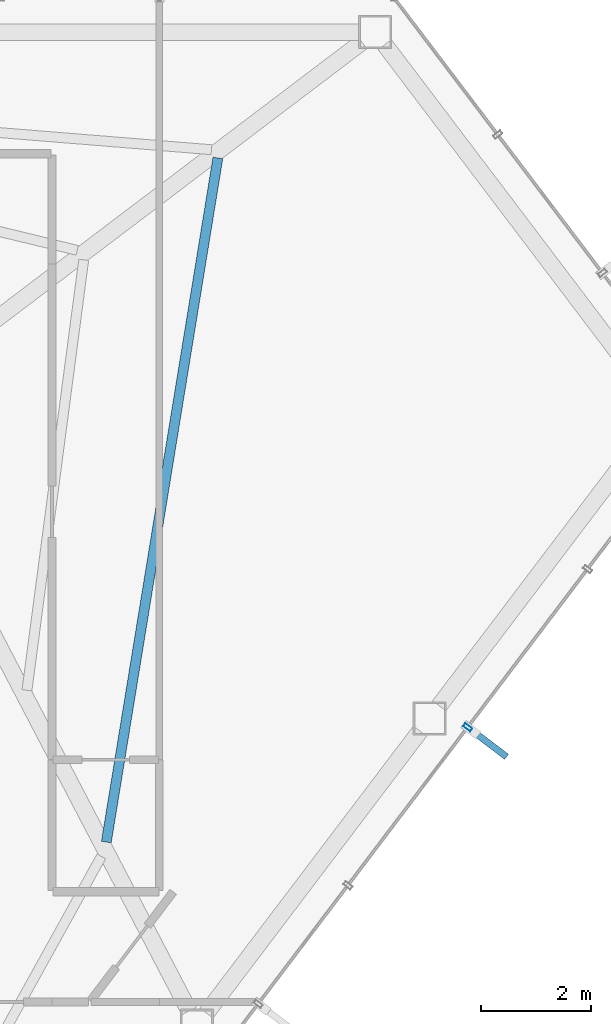
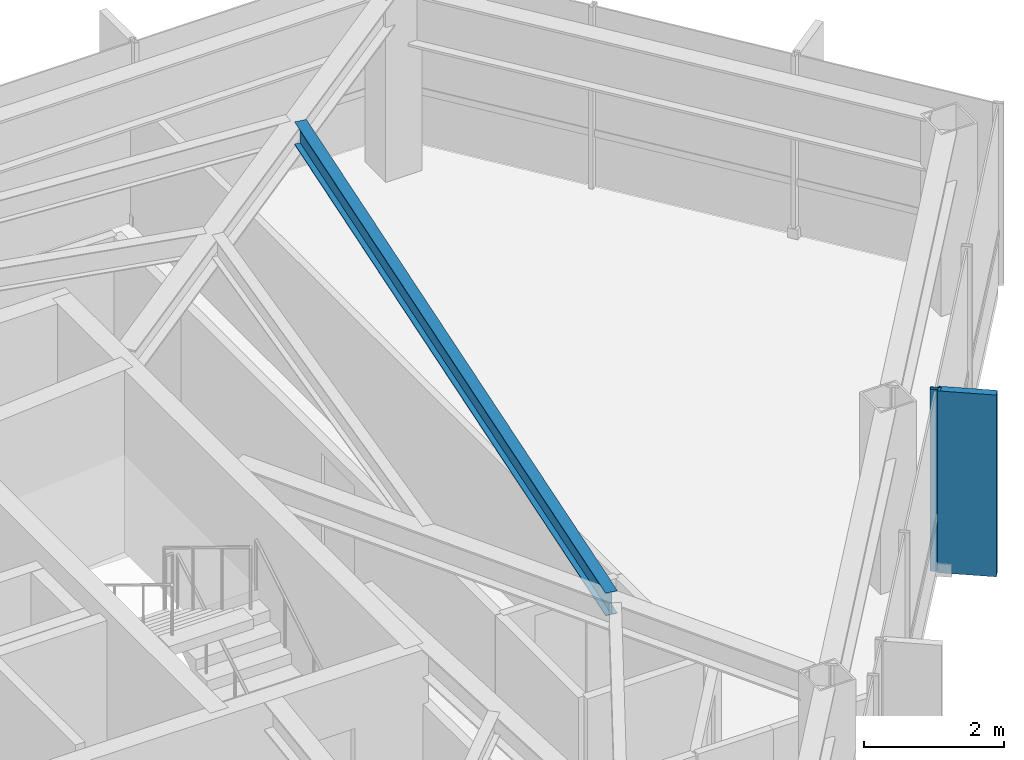
# One storey, part 17 of 25: 2 members, 1 beam, 1 element without a shape of its own.
"""IFC4 building model written with IfcOpenShell, lengths in metres."""

import ifcopenshell
import ifcopenshell.guid

model = None  # the IFC model being written
_history = None  # IfcOwnerHistory: only IFC2X3 demands one
_inside = {}  # id of a spatial element -> (the spatial element, [elements in it])
_under = {}  # id of a project, library or spatial element -> (it, [spatial elements below it])
_declared = {}  # id of a project -> (the project, [libraries it declares])
_typed = {}  # id of a type object -> (the type object, [elements of that type])
_made_of = {}  # id of a material, layer set ... -> (it, [elements and type objects made of it])


def new_model(schema):
    """Start an empty IFC model of exactly this schema.

    Asked for "IFC4X3", IfcOpenShell would pick the latest addendum, in which some entities
    have other attributes; the version numbers below select the first issue.
    IFC2X3 requires an IfcOwnerHistory on every rooted entity: one is made here for all.
    """
    global model, _history
    if schema == "IFC4X3":
        model = ifcopenshell.file(schema_version=(4, 3, 0, 0))
    else:
        model = ifcopenshell.file(schema=schema)
    _inside.clear()
    _under.clear()
    _declared.clear()
    _typed.clear()
    _made_of.clear()
    _history = None
    if model.schema == "IFC2X3":
        org = make("IfcOrganization", Name="unknown")
        user = make(
            "IfcPersonAndOrganization",
            ThePerson=make("IfcPerson", FamilyName="unknown"),
            TheOrganization=org,
        )
        app = make(
            "IfcApplication",
            ApplicationDeveloper=org,
            Version="unknown",
            ApplicationFullName="unknown",
            ApplicationIdentifier="unknown",
        )
        _history = make(
            "IfcOwnerHistory",
            OwningUser=user,
            OwningApplication=app,
            ChangeAction="ADDED",
            CreationDate=0,
        )
    return model


def make(cls, **values):
    """One entity of the class cls with the attributes given. An attribute that is None is left unset."""
    return model.create_entity(
        cls, **{name: value for name, value in values.items() if value is not None}
    )


def rooted(cls, **values):
    """An entity with a GlobalId (a new one), such as an element, a storey or a relation."""
    return make(cls, GlobalId=ifcopenshell.guid.new(), OwnerHistory=_history, **values)


def si_unit(unit_type, name, prefix=None):
    """IfcSIUnit, for example si_unit("LENGTHUNIT", "METRE", prefix="MILLI")."""
    return make("IfcSIUnit", UnitType=unit_type, Prefix=prefix, Name=name)


def assignment(units):
    """IfcUnitAssignment: the units of a project."""
    return None if units is None else make("IfcUnitAssignment", Units=units)


def point(xyz):
    """IfcCartesianPoint."""
    return None if xyz is None else make("IfcCartesianPoint", Coordinates=xyz)


def direction(xyz):
    """IfcDirection."""
    return None if xyz is None else make("IfcDirection", DirectionRatios=xyz)


def frame(location, z_axis=None, x_axis=None):
    """IfcAxis2Placement3D, a coordinate frame: its origin and axes. An axis left out is left unset."""
    return make(
        "IfcAxis2Placement3D",
        Location=point(location),
        Axis=direction(z_axis),
        RefDirection=direction(x_axis),
    )


def frame_2d(location, x_axis=None):
    """IfcAxis2Placement2D, a coordinate frame in the plane: its origin and x axis."""
    return make(
        "IfcAxis2Placement2D", Location=point(location), RefDirection=direction(x_axis)
    )


def origin():
    """The frame at (0, 0, 0) with its axes left unset."""
    return frame((0.0, 0.0, 0.0))


def origin_2d():
    """The frame at (0, 0) in the plane with its x axis left unset."""
    return frame_2d((0.0, 0.0))


def place(relative_to, where):
    """IfcLocalPlacement: puts the frame where relative to a parent placement (None: the world)."""
    return make(
        "IfcLocalPlacement", PlacementRelTo=relative_to, RelativePlacement=where
    )


def context(
    kind, dimensions, precision=None, world=None, true_north=None, identifier=None
):
    """IfcGeometricRepresentationContext, for example the 3D "Model" context."""
    return make(
        "IfcGeometricRepresentationContext",
        ContextIdentifier=identifier,
        ContextType=kind,
        CoordinateSpaceDimension=dimensions,
        Precision=precision,
        WorldCoordinateSystem=world,
        TrueNorth=true_north,
    )


def subcontext(parent, identifier, kind, view, scale=None):
    """IfcGeometricRepresentationSubContext, for example "Body" below "Model"."""
    return make(
        "IfcGeometricRepresentationSubContext",
        ContextIdentifier=identifier,
        ContextType=kind,
        ParentContext=parent,
        TargetScale=scale,
        TargetView=view,
    )


def project(units=None, contexts=None):
    """IfcProject with its units and contexts."""
    return rooted(
        "IfcProject",
        Name="project",
        RepresentationContexts=contexts,
        UnitsInContext=assignment(units),
    )


def spatial(cls, under=None, at=None, **own):
    """A site, building, storey or space (cls), placed at a placement, below another one or the project."""
    s = rooted(cls, ObjectPlacement=at, **own)
    if under is not None:
        _under.setdefault(under.id(), (under, []))[1].append(s)
    return s


def profile(cls, at=None, kind="AREA", **sizes):
    """A parametric profile (cls). Its sizes go by their IFC names, for example OverallWidth=200.0."""
    return make(cls, ProfileType=kind, Position=at, **sizes)


def rectangle(**sizes):
    """IfcRectangleProfileDef."""
    return profile("IfcRectangleProfileDef", **sizes)


def hollow_rectangle(**sizes):
    """IfcRectangleHollowProfileDef."""
    return profile("IfcRectangleHollowProfileDef", **sizes)


def i_section(**sizes):
    """IfcIShapeProfileDef."""
    return profile("IfcIShapeProfileDef", **sizes)


def extrude(swept, where, along, depth):
    """IfcExtrudedAreaSolid: the profile swept, set in the frame where, extruded along a direction by depth."""
    return make(
        "IfcExtrudedAreaSolid",
        SweptArea=swept,
        Position=where,
        ExtrudedDirection=direction(along),
        Depth=depth,
    )


def shape(context_of_items, identifier, shape_type, items):
    """IfcShapeRepresentation: the items that make up one representation, for example the "Body"."""
    return make(
        "IfcShapeRepresentation",
        ContextOfItems=context_of_items,
        RepresentationIdentifier=identifier,
        RepresentationType=shape_type,
        Items=items,
    )


def material(Name=None, Category=None):
    """IfcMaterial."""
    return make("IfcMaterial", Name=Name, Category=Category)


def layer(
    of_material, thickness, ventilated=None, Name=None, Category=None, Priority=None
):
    """IfcMaterialLayer: one layer of a wall or slab, of a material (None: an air gap)."""
    return make(
        "IfcMaterialLayer",
        Material=of_material,
        LayerThickness=thickness,
        IsVentilated=ventilated,
        Name=Name,
        Category=Category,
        Priority=Priority,
    )


def layer_set(layers, Name=None):
    """IfcMaterialLayerSet."""
    return make("IfcMaterialLayerSet", MaterialLayers=layers, LayerSetName=Name)


def material_profile(
    of_material, cross_section, Name=None, Category=None, Priority=None
):
    """IfcMaterialProfile: a cross section and its material."""
    return make(
        "IfcMaterialProfile",
        Name=Name,
        Material=of_material,
        Profile=cross_section,
        Priority=Priority,
        Category=Category,
    )


def profile_set(profiles, Name=None, composite=None):
    """IfcMaterialProfileSet."""
    return make(
        "IfcMaterialProfileSet",
        Name=Name,
        MaterialProfiles=profiles,
        CompositeProfile=composite,
    )


def made_of(thing, what):
    """Note that an element or type object is made of a material, layer set ...; save() writes the relation."""
    if what is not None:
        _made_of.setdefault(what.id(), (what, []))[1].append(thing)
    return thing


def type_object(cls, material=None, **own):
    """A type object (cls), such as IfcWallType, which elements share."""
    return made_of(rooted(cls, **own), material)


def element(
    cls,
    number,
    at=None,
    inside=None,
    cuts=None,
    type_object=None,
    material=None,
    context=None,
    identifier="Body",
    shape_type=None,
    held_by="IfcProductDefinitionShape",
    body=None,
    shapes=None,
    **own,
):
    """One element of the class cls, such as IfcWall. Its Tag is "e" and its number.

    at: its placement. inside: the storey or other place that contains it. cuts: it is an
    opening in that element (IfcRelVoidsElement). A single representation is given by context,
    identifier, shape_type and body (its items); several are given by shapes. held_by: the class
    of the entity that holds the representations. save() writes the other relations.
    """
    e = rooted(cls, Tag="e%d" % number, ObjectPlacement=at, **own)
    if body is not None:
        shapes = [shape(context, identifier, shape_type, body)]
    if shapes is not None:
        e.Representation = make(held_by, Representations=shapes)
    if inside is not None:
        _inside.setdefault(inside.id(), (inside, []))[1].append(e)
    if cuts is not None:
        rooted(
            "IfcRelVoidsElement", RelatingBuildingElement=cuts, RelatedOpeningElement=e
        )
    if type_object is not None:
        _typed.setdefault(type_object.id(), (type_object, []))[1].append(e)
    return made_of(e, material)


def aggregate(whole, parts):
    """IfcRelAggregates: a whole, such as a stair, and the parts it consists of."""
    return rooted("IfcRelAggregates", RelatingObject=whole, RelatedObjects=parts)


def save(model, path):
    """Write the relations noted so far, then the file.

    IfcRelAggregates (storeys below a building ...), IfcRelContainedInSpatialStructure (elements
    in a storey), IfcRelDefinesByType, IfcRelAssociatesMaterial and IfcRelDeclares: one each for
    every whole, place, type object, material and project.
    """
    for whole, parts in _under.values():
        aggregate(whole, parts)
    for where, things in _inside.values():
        rooted(
            "IfcRelContainedInSpatialStructure",
            RelatedElements=things,
            RelatingStructure=where,
        )
    for kind, things in _typed.values():
        rooted("IfcRelDefinesByType", RelatedObjects=things, RelatingType=kind)
    for what, things in _made_of.values():
        rooted("IfcRelAssociatesMaterial", RelatedObjects=things, RelatingMaterial=what)
    for by, libraries in _declared.values():
        rooted("IfcRelDeclares", RelatingContext=by, RelatedDefinitions=libraries)
    model.write(path)


model = new_model("IFC4")

# Units and contexts
model_context = context("Model", 3, precision=1e-05, world=origin(), true_north=direction((0.0, 1.0)))
body_context = subcontext(model_context, "Body", "Model", "MODEL_VIEW")
ifc_project = project(units=[si_unit("LENGTHUNIT", "METRE"), si_unit("AREAUNIT", "SQUARE_METRE"), si_unit("VOLUMEUNIT", "CUBIC_METRE"), si_unit("PLANEANGLEUNIT", "RADIAN"), si_unit("MASSUNIT", "GRAM", prefix="KILO")], contexts=[model_context])

# Site, building, storey
site_placement = place(None, origin())
site = spatial("IfcSite", under=ifc_project, at=site_placement, CompositionType="ELEMENT")
building_placement = place(site_placement, origin())
building = spatial("IfcBuilding", under=site, at=building_placement, Name="Zarrinselat Tower", CompositionType="ELEMENT")
storey_placement = place(building_placement, frame((0.0, 0.0, 208.760009765625)))
storey = spatial("IfcBuildingStorey", under=building, at=storey_placement, Name="L51", CompositionType="ELEMENT", Elevation=208.760009765625)

# Beam
ifc_material_1 = material(Name="Steel S355J2", Category="steel")
ifc_material_profile_1 = material_profile(ifc_material_1, i_section(OverallWidth=0.179931640625, OverallDepth=0.39990234375, WebThickness=0.008544921875, FlangeThickness=0.013427734375, at=origin_2d()), Name="IPE 400")
ifc_profile_set_1 = profile_set([ifc_material_profile_1], Name="Steel S355J2")
beam_type = type_object("IfcBeamType", Name="BM-IPE400", PredefinedType="JOIST", material=ifc_profile_set_1)
beam_placement = place(storey_placement, frame((51.335693359375, 33.053466796875, 2.97998046875), z_axis=(0.160956842777, 0.986961445429, 0.0), x_axis=(-0.986961445429, 0.160956842777, 0.0)))
element("IfcBeam", 1, at=beam_placement, inside=storey, type_object=beam_type, Name="L51 Composite Floor Joist 5-1", PredefinedType="JOIST", context=body_context, shape_type="SweptSolid", body=[
    extrude(i_section(OverallWidth=0.179931640625, OverallDepth=0.39990234375, WebThickness=0.008544921875, FlangeThickness=0.013427734375, at=origin_2d()), origin(), (0.0, 0.0, 1.0), 12.58642578125),
])

# Curtain wall, members
ifc_material_2 = material(Name="Extruded Aluminium Alloy EN AW-6063 T6", Category="aluminium")
ifc_layer = layer(ifc_material_2, 0.169921875)
ifc_layer_set = layer_set([ifc_layer], Name="Extruded Aluminium Alloy EN AW-6063 T6")
curtain_wall_type = type_object("IfcCurtainWallType", Name="CWS-RES", PredefinedType="NOTDEFINED", material=ifc_layer_set)
curtain_wall_placement = place(storey_placement, origin())
curtain_wall = element("IfcCurtainWall", 2, at=curtain_wall_placement, inside=storey, type_object=curtain_wall_type, Name="L51 Unitised Curtain Wall CW-L51-E05", PredefinedType="NOTDEFINED")
ifc_material_3 = material(Name="Extruded Aluminium Alloy EN AW-6063 T6", Category="aluminium")
ifc_material_profile_2 = material_profile(ifc_material_3, hollow_rectangle(XDim=0.070068359375, YDim=0.159912109375, WallThickness=0.00390625, at=origin_2d()), Name="RHS 160x70x4")
ifc_profile_set_2 = profile_set([ifc_material_profile_2], Name="Extruded Aluminium Alloy EN AW-6063 T6")
member_type_1 = type_object("IfcMemberType", Name="MEM-CW-MUL2", PredefinedType="MULLION", material=ifc_profile_set_2)
member_1_placement = place(storey_placement, frame((57.898681640625, 35.1357421875, 0.0), z_axis=(0.0, 0.0, 1.0), x_axis=(0.603859492128, 0.797090781384, 0.0)))
member_1 = element("IfcMember", 3, at=member_1_placement, type_object=member_type_1, Name="CW-L51-E05 Mullion 7", PredefinedType="MULLION", context=body_context, shape_type="SweptSolid", body=[
    extrude(hollow_rectangle(XDim=0.070068359375, YDim=0.159912109375, WallThickness=0.00390625, at=origin_2d()), origin(), (0.0, 0.0, 1.0), 3.179931640625),
])
ifc_material_4 = material(Name="Honed Cream Travertine Stone", Category="masonry")
ifc_material_profile_3 = material_profile(ifc_material_4, rectangle(XDim=0.1201171875, YDim=0.85009765625, at=origin_2d()), Name="FIN 850x120")
ifc_profile_set_3 = profile_set([ifc_material_profile_3], Name="Honed Cream Travertine Stone")
member_type_2 = type_object("IfcMemberType", Name="MEM-STONE-FIN", PredefinedType="USERDEFINED", material=ifc_profile_set_3)
member_2_placement = place(storey_placement, frame((58.265380859375, 34.85791015625, 0.0), z_axis=(0.0, 0.0, 1.0), x_axis=(-0.603859492128, -0.797090781384, 0.0)))
member_2 = element("IfcMember", 4, at=member_2_placement, type_object=member_type_2, Name="L51 Stone Shading Fin CW-L51-E05-07", ObjectType="FIN", PredefinedType="USERDEFINED", context=body_context, shape_type="SweptSolid", body=[
    extrude(rectangle(XDim=0.1201171875, YDim=0.85009765625, at=origin_2d()), origin(), (0.0, 0.0, 1.0), 3.179931640625),
])
aggregate(curtain_wall, [member_1, member_2])

save(model, "model.ifc")
